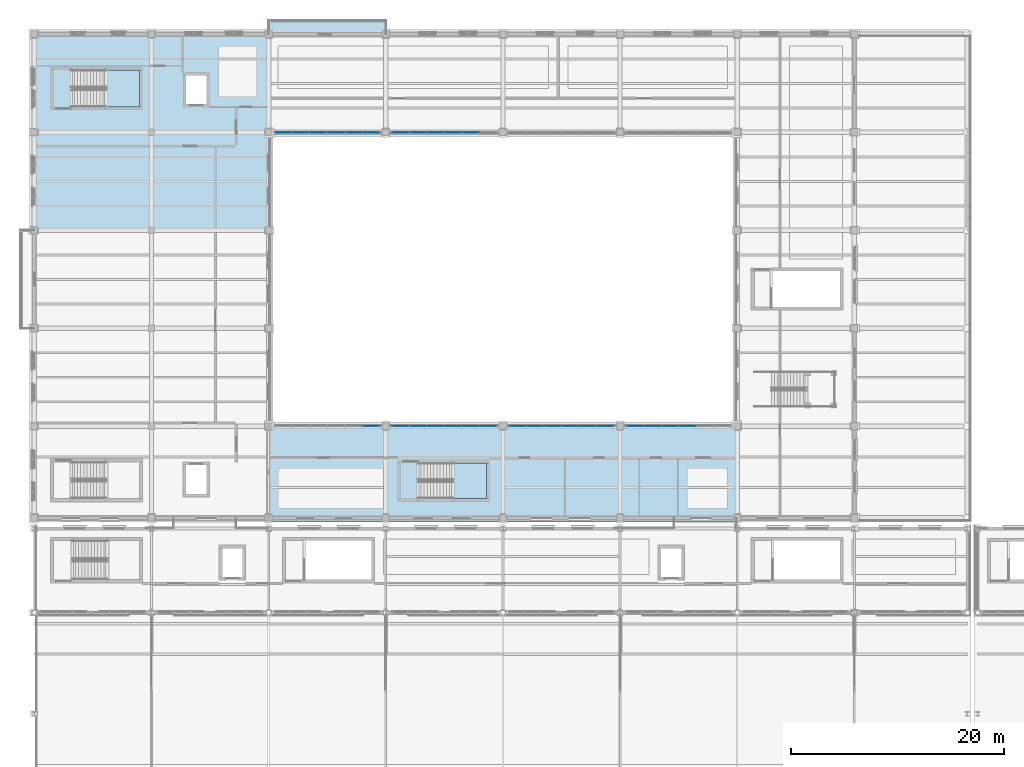
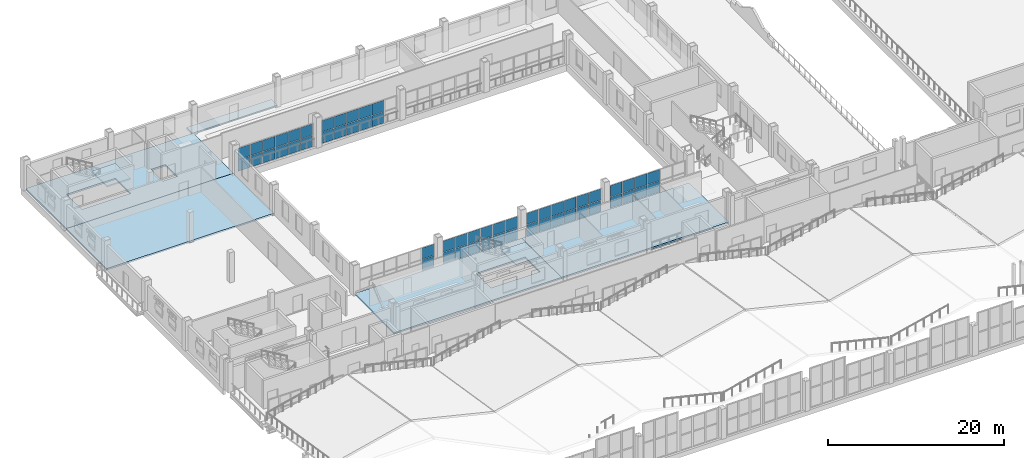
# One storey, part 86 of 120: 56 plates, 7 slabs, 8 elements without a shape of their own.
"""IFC4 building model written with IfcOpenShell, lengths in metres."""

from ifc_helpers import new_model, si_unit, direction, frame, origin, origin_2d, place, context, subcontext, project, spatial, polyline, rectangle, outline, extrude, material, layer, layer_set, type_object, element, aggregate, save


model = new_model("IFC4")

# Units and contexts
model_context = context("Model", 3, precision=1e-05, world=origin(), true_north=direction((0.0, 1.0)))
body_context = subcontext(model_context, "Body", "Model", "MODEL_VIEW")
ifc_project = project(units=[si_unit("LENGTHUNIT", "METRE"), si_unit("AREAUNIT", "SQUARE_METRE"), si_unit("VOLUMEUNIT", "CUBIC_METRE"), si_unit("PLANEANGLEUNIT", "RADIAN"), si_unit("MASSUNIT", "GRAM", prefix="KILO")], contexts=[model_context])

# Site, building, storey
site_placement = place(None, origin())
site = spatial("IfcSite", under=ifc_project, at=site_placement, CompositionType="ELEMENT")
building_placement = place(site_placement, origin())
building = spatial("IfcBuilding", under=site, at=building_placement, Name="Caurita Quay Ferry Terminal", CompositionType="ELEMENT")
storey_placement = place(building_placement, frame((0.0, 0.0, 9.89990234375)))
storey = spatial("IfcBuildingStorey", under=building, at=storey_placement, Name="L02", CompositionType="ELEMENT", Elevation=9.89990234375)

# Curtain wall, plates
ifc_material_1 = material(Name="Laminated solar-control insulated glass", Category="glass")
curtain_wall_type = type_object("IfcCurtainWallType", Name="CW-SYS-24", PredefinedType="NOTDEFINED", material=ifc_material_1)
curtain_wall_1_placement = place(storey_placement, origin())
curtain_wall_1 = element("IfcCurtainWall", 1, at=curtain_wall_1_placement, inside=storey, type_object=curtain_wall_type, Name="L02 Courtyard Cloister Storefront 164", PredefinedType="NOTDEFINED")
ifc_layer_1 = layer(ifc_material_1, 0.02392578125, Name="Laminated low-e hurricane-rated glazing unit 24 mm")
ifc_layer_set_1 = layer_set([ifc_layer_1], Name="Laminated solar-control insulated glass")
plate_type = type_object("IfcPlateType", Name="CW-PNL-24", PredefinedType="CURTAIN_PANEL", material=ifc_layer_set_1)
plate_1_placement = place(storey_placement, frame((31.610107421875, 80.199951171875, 0.05810546875), z_axis=(0.0, 0.0, 1.0), x_axis=(1.0, 0.0, 0.0)))
plate_1 = element("IfcPlate", 2, at=plate_1_placement, type_object=plate_type, Name="CW-CRT-164 Glazing Panel 11", PredefinedType="CURTAIN_PANEL", context=body_context, shape_type="SweptSolid", body=[
    extrude(rectangle(XDim=1.56396484375, YDim=0.02392578125, at=origin_2d()), origin(), (0.0, 0.0, 1.0), 1.56396484375),
])
plate_2_placement = place(storey_placement, frame((31.610107421875, 80.199951171875, 1.67822265625), z_axis=(0.0, 0.0, 1.0), x_axis=(1.0, 0.0, 0.0)))
plate_2 = element("IfcPlate", 3, at=plate_2_placement, type_object=plate_type, Name="CW-CRT-164 Glazing Panel 12", PredefinedType="CURTAIN_PANEL", context=body_context, shape_type="SweptSolid", body=[
    extrude(rectangle(XDim=1.56396484375, YDim=0.02392578125, at=origin_2d()), origin(), (0.0, 0.0, 1.0), 1.56396484375),
])
aggregate(curtain_wall_1, [plate_1, plate_2])

curtain_wall_2_placement = place(storey_placement, origin())
curtain_wall_2 = element("IfcCurtainWall", 4, at=curtain_wall_2_placement, inside=storey, type_object=curtain_wall_type, Name="L02 Courtyard Cloister Storefront 165", PredefinedType="NOTDEFINED")
plate_3_placement = place(storey_placement, frame((34.389892578125, 80.199951171875, 0.05810546875), z_axis=(0.0, 0.0, 1.0), x_axis=(1.0, 0.0, 0.0)))
plate_3 = element("IfcPlate", 5, at=plate_3_placement, type_object=plate_type, Name="CW-CRT-165 Glazing Panel 1", PredefinedType="CURTAIN_PANEL", context=body_context, shape_type="SweptSolid", body=[
    extrude(rectangle(XDim=1.56396484375, YDim=0.02392578125, at=origin_2d()), origin(), (0.0, 0.0, 1.0), 1.56396484375),
])
plate_4_placement = place(storey_placement, frame((34.389892578125, 80.199951171875, 1.67822265625), z_axis=(0.0, 0.0, 1.0), x_axis=(1.0, 0.0, 0.0)))
plate_4 = element("IfcPlate", 6, at=plate_4_placement, type_object=plate_type, Name="CW-CRT-165 Glazing Panel 2", PredefinedType="CURTAIN_PANEL", context=body_context, shape_type="SweptSolid", body=[
    extrude(rectangle(XDim=1.56396484375, YDim=0.02392578125, at=origin_2d()), origin(), (0.0, 0.0, 1.0), 1.56396484375),
])
plate_5_placement = place(storey_placement, frame((36.02490234375, 80.199951171875, 0.05810546875), z_axis=(0.0, 0.0, 1.0), x_axis=(1.0, 0.0, 0.0)))
plate_5 = element("IfcPlate", 7, at=plate_5_placement, type_object=plate_type, Name="CW-CRT-165 Glazing Panel 3", PredefinedType="CURTAIN_PANEL", context=body_context, shape_type="SweptSolid", body=[
    extrude(rectangle(XDim=1.593994140625, YDim=0.02392578125, at=origin_2d()), origin(), (0.0, 0.0, 1.0), 1.56396484375),
])
plate_6_placement = place(storey_placement, frame((36.02490234375, 80.199951171875, 1.67822265625), z_axis=(0.0, 0.0, 1.0), x_axis=(1.0, 0.0, 0.0)))
plate_6 = element("IfcPlate", 8, at=plate_6_placement, type_object=plate_type, Name="CW-CRT-165 Glazing Panel 4", PredefinedType="CURTAIN_PANEL", context=body_context, shape_type="SweptSolid", body=[
    extrude(rectangle(XDim=1.593994140625, YDim=0.02392578125, at=origin_2d()), origin(), (0.0, 0.0, 1.0), 1.56396484375),
])
plate_7_placement = place(storey_placement, frame((37.675048828125, 80.199951171875, 0.05810546875), z_axis=(0.0, 0.0, 1.0), x_axis=(1.0, 0.0, 0.0)))
plate_7 = element("IfcPlate", 9, at=plate_7_placement, type_object=plate_type, Name="CW-CRT-165 Glazing Panel 5", PredefinedType="CURTAIN_PANEL", context=body_context, shape_type="SweptSolid", body=[
    extrude(rectangle(XDim=1.593994140625, YDim=0.02392578125, at=origin_2d()), origin(), (0.0, 0.0, 1.0), 1.56396484375),
])
plate_8_placement = place(storey_placement, frame((37.675048828125, 80.199951171875, 1.67822265625), z_axis=(0.0, 0.0, 1.0), x_axis=(1.0, 0.0, 0.0)))
plate_8 = element("IfcPlate", 10, at=plate_8_placement, type_object=plate_type, Name="CW-CRT-165 Glazing Panel 6", PredefinedType="CURTAIN_PANEL", context=body_context, shape_type="SweptSolid", body=[
    extrude(rectangle(XDim=1.593994140625, YDim=0.02392578125, at=origin_2d()), origin(), (0.0, 0.0, 1.0), 1.56396484375),
])
plate_9_placement = place(storey_placement, frame((39.324951171875, 80.199951171875, 0.05810546875), z_axis=(0.0, 0.0, 1.0), x_axis=(1.0, 0.0, 0.0)))
plate_9 = element("IfcPlate", 11, at=plate_9_placement, type_object=plate_type, Name="CW-CRT-165 Glazing Panel 7", PredefinedType="CURTAIN_PANEL", context=body_context, shape_type="SweptSolid", body=[
    extrude(rectangle(XDim=1.593994140625, YDim=0.02392578125, at=origin_2d()), origin(), (0.0, 0.0, 1.0), 1.56396484375),
])
plate_10_placement = place(storey_placement, frame((39.324951171875, 80.199951171875, 1.67822265625), z_axis=(0.0, 0.0, 1.0), x_axis=(1.0, 0.0, 0.0)))
plate_10 = element("IfcPlate", 12, at=plate_10_placement, type_object=plate_type, Name="CW-CRT-165 Glazing Panel 8", PredefinedType="CURTAIN_PANEL", context=body_context, shape_type="SweptSolid", body=[
    extrude(rectangle(XDim=1.593994140625, YDim=0.02392578125, at=origin_2d()), origin(), (0.0, 0.0, 1.0), 1.56396484375),
])
plate_11_placement = place(storey_placement, frame((40.97509765625, 80.199951171875, 0.05810546875), z_axis=(0.0, 0.0, 1.0), x_axis=(1.0, 0.0, 0.0)))
plate_11 = element("IfcPlate", 13, at=plate_11_placement, type_object=plate_type, Name="CW-CRT-165 Glazing Panel 9", PredefinedType="CURTAIN_PANEL", context=body_context, shape_type="SweptSolid", body=[
    extrude(rectangle(XDim=1.593994140625, YDim=0.02392578125, at=origin_2d()), origin(), (0.0, 0.0, 1.0), 1.56396484375),
])
plate_12_placement = place(storey_placement, frame((40.97509765625, 80.199951171875, 1.67822265625), z_axis=(0.0, 0.0, 1.0), x_axis=(1.0, 0.0, 0.0)))
plate_12 = element("IfcPlate", 14, at=plate_12_placement, type_object=plate_type, Name="CW-CRT-165 Glazing Panel 10", PredefinedType="CURTAIN_PANEL", context=body_context, shape_type="SweptSolid", body=[
    extrude(rectangle(XDim=1.593994140625, YDim=0.02392578125, at=origin_2d()), origin(), (0.0, 0.0, 1.0), 1.56396484375),
])
plate_13_placement = place(storey_placement, frame((42.610107421875, 80.199951171875, 0.05810546875), z_axis=(0.0, 0.0, 1.0), x_axis=(1.0, 0.0, 0.0)))
plate_13 = element("IfcPlate", 15, at=plate_13_placement, type_object=plate_type, Name="CW-CRT-165 Glazing Panel 11", PredefinedType="CURTAIN_PANEL", context=body_context, shape_type="SweptSolid", body=[
    extrude(rectangle(XDim=1.56396484375, YDim=0.02392578125, at=origin_2d()), origin(), (0.0, 0.0, 1.0), 1.56396484375),
])
plate_14_placement = place(storey_placement, frame((42.610107421875, 80.199951171875, 1.67822265625), z_axis=(0.0, 0.0, 1.0), x_axis=(1.0, 0.0, 0.0)))
plate_14 = element("IfcPlate", 16, at=plate_14_placement, type_object=plate_type, Name="CW-CRT-165 Glazing Panel 12", PredefinedType="CURTAIN_PANEL", context=body_context, shape_type="SweptSolid", body=[
    extrude(rectangle(XDim=1.56396484375, YDim=0.02392578125, at=origin_2d()), origin(), (0.0, 0.0, 1.0), 1.56396484375),
])
aggregate(curtain_wall_2, [plate_3, plate_4, plate_5, plate_6, plate_7, plate_8, plate_9, plate_10, plate_11, plate_12, plate_13, plate_14])

curtain_wall_3_placement = place(storey_placement, origin())
curtain_wall_3 = element("IfcCurtainWall", 17, at=curtain_wall_3_placement, inside=storey, type_object=curtain_wall_type, Name="L02 Courtyard Cloister Storefront 166", PredefinedType="NOTDEFINED")
plate_15_placement = place(storey_placement, frame((45.389892578125, 80.199951171875, 0.05810546875), z_axis=(0.0, 0.0, 1.0), x_axis=(1.0, 0.0, 0.0)))
plate_15 = element("IfcPlate", 18, at=plate_15_placement, type_object=plate_type, Name="CW-CRT-166 Glazing Panel 1", PredefinedType="CURTAIN_PANEL", context=body_context, shape_type="SweptSolid", body=[
    extrude(rectangle(XDim=1.56396484375, YDim=0.02392578125, at=origin_2d()), origin(), (0.0, 0.0, 1.0), 1.56396484375),
])
plate_16_placement = place(storey_placement, frame((45.389892578125, 80.199951171875, 1.67822265625), z_axis=(0.0, 0.0, 1.0), x_axis=(1.0, 0.0, 0.0)))
plate_16 = element("IfcPlate", 19, at=plate_16_placement, type_object=plate_type, Name="CW-CRT-166 Glazing Panel 2", PredefinedType="CURTAIN_PANEL", context=body_context, shape_type="SweptSolid", body=[
    extrude(rectangle(XDim=1.56396484375, YDim=0.02392578125, at=origin_2d()), origin(), (0.0, 0.0, 1.0), 1.56396484375),
])
plate_17_placement = place(storey_placement, frame((47.02490234375, 80.199951171875, 0.05810546875), z_axis=(0.0, 0.0, 1.0), x_axis=(1.0, 0.0, 0.0)))
plate_17 = element("IfcPlate", 20, at=plate_17_placement, type_object=plate_type, Name="CW-CRT-166 Glazing Panel 3", PredefinedType="CURTAIN_PANEL", context=body_context, shape_type="SweptSolid", body=[
    extrude(rectangle(XDim=1.593994140625, YDim=0.02392578125, at=origin_2d()), origin(), (0.0, 0.0, 1.0), 1.56396484375),
])
plate_18_placement = place(storey_placement, frame((47.02490234375, 80.199951171875, 1.67822265625), z_axis=(0.0, 0.0, 1.0), x_axis=(1.0, 0.0, 0.0)))
plate_18 = element("IfcPlate", 21, at=plate_18_placement, type_object=plate_type, Name="CW-CRT-166 Glazing Panel 4", PredefinedType="CURTAIN_PANEL", context=body_context, shape_type="SweptSolid", body=[
    extrude(rectangle(XDim=1.593994140625, YDim=0.02392578125, at=origin_2d()), origin(), (0.0, 0.0, 1.0), 1.56396484375),
])
plate_19_placement = place(storey_placement, frame((48.675048828125, 80.199951171875, 0.05810546875), z_axis=(0.0, 0.0, 1.0), x_axis=(1.0, 0.0, 0.0)))
plate_19 = element("IfcPlate", 22, at=plate_19_placement, type_object=plate_type, Name="CW-CRT-166 Glazing Panel 5", PredefinedType="CURTAIN_PANEL", context=body_context, shape_type="SweptSolid", body=[
    extrude(rectangle(XDim=1.593994140625, YDim=0.02392578125, at=origin_2d()), origin(), (0.0, 0.0, 1.0), 1.56396484375),
])
plate_20_placement = place(storey_placement, frame((48.675048828125, 80.199951171875, 1.67822265625), z_axis=(0.0, 0.0, 1.0), x_axis=(1.0, 0.0, 0.0)))
plate_20 = element("IfcPlate", 23, at=plate_20_placement, type_object=plate_type, Name="CW-CRT-166 Glazing Panel 6", PredefinedType="CURTAIN_PANEL", context=body_context, shape_type="SweptSolid", body=[
    extrude(rectangle(XDim=1.593994140625, YDim=0.02392578125, at=origin_2d()), origin(), (0.0, 0.0, 1.0), 1.56396484375),
])
plate_21_placement = place(storey_placement, frame((50.324951171875, 80.199951171875, 0.05810546875), z_axis=(0.0, 0.0, 1.0), x_axis=(1.0, 0.0, 0.0)))
plate_21 = element("IfcPlate", 24, at=plate_21_placement, type_object=plate_type, Name="CW-CRT-166 Glazing Panel 7", PredefinedType="CURTAIN_PANEL", context=body_context, shape_type="SweptSolid", body=[
    extrude(rectangle(XDim=1.593994140625, YDim=0.02392578125, at=origin_2d()), origin(), (0.0, 0.0, 1.0), 1.56396484375),
])
plate_22_placement = place(storey_placement, frame((50.324951171875, 80.199951171875, 1.67822265625), z_axis=(0.0, 0.0, 1.0), x_axis=(1.0, 0.0, 0.0)))
plate_22 = element("IfcPlate", 25, at=plate_22_placement, type_object=plate_type, Name="CW-CRT-166 Glazing Panel 8", PredefinedType="CURTAIN_PANEL", context=body_context, shape_type="SweptSolid", body=[
    extrude(rectangle(XDim=1.593994140625, YDim=0.02392578125, at=origin_2d()), origin(), (0.0, 0.0, 1.0), 1.56396484375),
])
plate_23_placement = place(storey_placement, frame((51.97509765625, 80.199951171875, 0.05810546875), z_axis=(0.0, 0.0, 1.0), x_axis=(1.0, 0.0, 0.0)))
plate_23 = element("IfcPlate", 26, at=plate_23_placement, type_object=plate_type, Name="CW-CRT-166 Glazing Panel 9", PredefinedType="CURTAIN_PANEL", context=body_context, shape_type="SweptSolid", body=[
    extrude(rectangle(XDim=1.593994140625, YDim=0.02392578125, at=origin_2d()), origin(), (0.0, 0.0, 1.0), 1.56396484375),
])
plate_24_placement = place(storey_placement, frame((51.97509765625, 80.199951171875, 1.67822265625), z_axis=(0.0, 0.0, 1.0), x_axis=(1.0, 0.0, 0.0)))
plate_24 = element("IfcPlate", 27, at=plate_24_placement, type_object=plate_type, Name="CW-CRT-166 Glazing Panel 10", PredefinedType="CURTAIN_PANEL", context=body_context, shape_type="SweptSolid", body=[
    extrude(rectangle(XDim=1.593994140625, YDim=0.02392578125, at=origin_2d()), origin(), (0.0, 0.0, 1.0), 1.56396484375),
])
plate_25_placement = place(storey_placement, frame((53.610107421875, 80.199951171875, 0.05810546875), z_axis=(0.0, 0.0, 1.0), x_axis=(1.0, 0.0, 0.0)))
plate_25 = element("IfcPlate", 28, at=plate_25_placement, type_object=plate_type, Name="CW-CRT-166 Glazing Panel 11", PredefinedType="CURTAIN_PANEL", context=body_context, shape_type="SweptSolid", body=[
    extrude(rectangle(XDim=1.56396484375, YDim=0.02392578125, at=origin_2d()), origin(), (0.0, 0.0, 1.0), 1.56396484375),
])
plate_26_placement = place(storey_placement, frame((53.610107421875, 80.199951171875, 1.67822265625), z_axis=(0.0, 0.0, 1.0), x_axis=(1.0, 0.0, 0.0)))
plate_26 = element("IfcPlate", 29, at=plate_26_placement, type_object=plate_type, Name="CW-CRT-166 Glazing Panel 12", PredefinedType="CURTAIN_PANEL", context=body_context, shape_type="SweptSolid", body=[
    extrude(rectangle(XDim=1.56396484375, YDim=0.02392578125, at=origin_2d()), origin(), (0.0, 0.0, 1.0), 1.56396484375),
])
aggregate(curtain_wall_3, [plate_15, plate_16, plate_17, plate_18, plate_19, plate_20, plate_21, plate_22, plate_23, plate_24, plate_25, plate_26])

curtain_wall_4_placement = place(storey_placement, origin())
curtain_wall_4 = element("IfcCurtainWall", 30, at=curtain_wall_4_placement, inside=storey, type_object=curtain_wall_type, Name="L02 Courtyard Cloister Storefront 167", PredefinedType="NOTDEFINED")
plate_27_placement = place(storey_placement, frame((56.389892578125, 80.199951171875, 0.05810546875), z_axis=(0.0, 0.0, 1.0), x_axis=(1.0, 0.0, 0.0)))
plate_27 = element("IfcPlate", 31, at=plate_27_placement, type_object=plate_type, Name="CW-CRT-167 Glazing Panel 1", PredefinedType="CURTAIN_PANEL", context=body_context, shape_type="SweptSolid", body=[
    extrude(rectangle(XDim=1.56396484375, YDim=0.02392578125, at=origin_2d()), origin(), (0.0, 0.0, 1.0), 1.56396484375),
])
plate_28_placement = place(storey_placement, frame((56.389892578125, 80.199951171875, 1.67822265625), z_axis=(0.0, 0.0, 1.0), x_axis=(1.0, 0.0, 0.0)))
plate_28 = element("IfcPlate", 32, at=plate_28_placement, type_object=plate_type, Name="CW-CRT-167 Glazing Panel 2", PredefinedType="CURTAIN_PANEL", context=body_context, shape_type="SweptSolid", body=[
    extrude(rectangle(XDim=1.56396484375, YDim=0.02392578125, at=origin_2d()), origin(), (0.0, 0.0, 1.0), 1.56396484375),
])
plate_29_placement = place(storey_placement, frame((58.02490234375, 80.199951171875, 0.05810546875), z_axis=(0.0, 0.0, 1.0), x_axis=(1.0, 0.0, 0.0)))
plate_29 = element("IfcPlate", 33, at=plate_29_placement, type_object=plate_type, Name="CW-CRT-167 Glazing Panel 3", PredefinedType="CURTAIN_PANEL", context=body_context, shape_type="SweptSolid", body=[
    extrude(rectangle(XDim=1.593994140625, YDim=0.02392578125, at=origin_2d()), origin(), (0.0, 0.0, 1.0), 1.56396484375),
])
plate_30_placement = place(storey_placement, frame((58.02490234375, 80.199951171875, 1.67822265625), z_axis=(0.0, 0.0, 1.0), x_axis=(1.0, 0.0, 0.0)))
plate_30 = element("IfcPlate", 34, at=plate_30_placement, type_object=plate_type, Name="CW-CRT-167 Glazing Panel 4", PredefinedType="CURTAIN_PANEL", context=body_context, shape_type="SweptSolid", body=[
    extrude(rectangle(XDim=1.593994140625, YDim=0.02392578125, at=origin_2d()), origin(), (0.0, 0.0, 1.0), 1.56396484375),
])
plate_31_placement = place(storey_placement, frame((59.675048828125, 80.199951171875, 0.05810546875), z_axis=(0.0, 0.0, 1.0), x_axis=(1.0, 0.0, 0.0)))
plate_31 = element("IfcPlate", 35, at=plate_31_placement, type_object=plate_type, Name="CW-CRT-167 Glazing Panel 5", PredefinedType="CURTAIN_PANEL", context=body_context, shape_type="SweptSolid", body=[
    extrude(rectangle(XDim=1.593994140625, YDim=0.02392578125, at=origin_2d()), origin(), (0.0, 0.0, 1.0), 1.56396484375),
])
plate_32_placement = place(storey_placement, frame((59.675048828125, 80.199951171875, 1.67822265625), z_axis=(0.0, 0.0, 1.0), x_axis=(1.0, 0.0, 0.0)))
plate_32 = element("IfcPlate", 36, at=plate_32_placement, type_object=plate_type, Name="CW-CRT-167 Glazing Panel 6", PredefinedType="CURTAIN_PANEL", context=body_context, shape_type="SweptSolid", body=[
    extrude(rectangle(XDim=1.593994140625, YDim=0.02392578125, at=origin_2d()), origin(), (0.0, 0.0, 1.0), 1.56396484375),
])
plate_33_placement = place(storey_placement, frame((61.324951171875, 80.199951171875, 0.05810546875), z_axis=(0.0, 0.0, 1.0), x_axis=(1.0, 0.0, 0.0)))
plate_33 = element("IfcPlate", 37, at=plate_33_placement, type_object=plate_type, Name="CW-CRT-167 Glazing Panel 7", PredefinedType="CURTAIN_PANEL", context=body_context, shape_type="SweptSolid", body=[
    extrude(rectangle(XDim=1.593994140625, YDim=0.02392578125, at=origin_2d()), origin(), (0.0, 0.0, 1.0), 1.56396484375),
])
plate_34_placement = place(storey_placement, frame((61.324951171875, 80.199951171875, 1.67822265625), z_axis=(0.0, 0.0, 1.0), x_axis=(1.0, 0.0, 0.0)))
plate_34 = element("IfcPlate", 38, at=plate_34_placement, type_object=plate_type, Name="CW-CRT-167 Glazing Panel 8", PredefinedType="CURTAIN_PANEL", context=body_context, shape_type="SweptSolid", body=[
    extrude(rectangle(XDim=1.593994140625, YDim=0.02392578125, at=origin_2d()), origin(), (0.0, 0.0, 1.0), 1.56396484375),
])
aggregate(curtain_wall_4, [plate_27, plate_28, plate_29, plate_30, plate_31, plate_32, plate_33, plate_34])

curtain_wall_5_placement = place(storey_placement, origin())
curtain_wall_5 = element("IfcCurtainWall", 39, at=curtain_wall_5_placement, inside=storey, type_object=curtain_wall_type, Name="L02 Courtyard Cloister Storefront 168", PredefinedType="NOTDEFINED")
plate_35_placement = place(storey_placement, frame((23.389892578125, 107.800048828125, 0.05810546875), z_axis=(0.0, 0.0, 1.0), x_axis=(1.0, 0.0, 0.0)))
plate_35 = element("IfcPlate", 40, at=plate_35_placement, type_object=plate_type, Name="CW-CRT-168 Glazing Panel 1", PredefinedType="CURTAIN_PANEL", context=body_context, shape_type="SweptSolid", body=[
    extrude(rectangle(XDim=1.56396484375, YDim=0.02392578125, at=origin_2d()), origin(), (0.0, 0.0, 1.0), 1.56396484375),
])
plate_36_placement = place(storey_placement, frame((23.389892578125, 107.800048828125, 1.67822265625), z_axis=(0.0, 0.0, 1.0), x_axis=(1.0, 0.0, 0.0)))
plate_36 = element("IfcPlate", 41, at=plate_36_placement, type_object=plate_type, Name="CW-CRT-168 Glazing Panel 2", PredefinedType="CURTAIN_PANEL", context=body_context, shape_type="SweptSolid", body=[
    extrude(rectangle(XDim=1.56396484375, YDim=0.02392578125, at=origin_2d()), origin(), (0.0, 0.0, 1.0), 1.56396484375),
])
plate_37_placement = place(storey_placement, frame((25.02490234375, 107.800048828125, 0.05810546875), z_axis=(0.0, 0.0, 1.0), x_axis=(1.0, 0.0, 0.0)))
plate_37 = element("IfcPlate", 42, at=plate_37_placement, type_object=plate_type, Name="CW-CRT-168 Glazing Panel 3", PredefinedType="CURTAIN_PANEL", context=body_context, shape_type="SweptSolid", body=[
    extrude(rectangle(XDim=1.593994140625, YDim=0.02392578125, at=origin_2d()), origin(), (0.0, 0.0, 1.0), 1.56396484375),
])
plate_38_placement = place(storey_placement, frame((25.02490234375, 107.800048828125, 1.67822265625), z_axis=(0.0, 0.0, 1.0), x_axis=(1.0, 0.0, 0.0)))
plate_38 = element("IfcPlate", 43, at=plate_38_placement, type_object=plate_type, Name="CW-CRT-168 Glazing Panel 4", PredefinedType="CURTAIN_PANEL", context=body_context, shape_type="SweptSolid", body=[
    extrude(rectangle(XDim=1.593994140625, YDim=0.02392578125, at=origin_2d()), origin(), (0.0, 0.0, 1.0), 1.56396484375),
])
plate_39_placement = place(storey_placement, frame((26.675048828125, 107.800048828125, 0.05810546875), z_axis=(0.0, 0.0, 1.0), x_axis=(1.0, 0.0, 0.0)))
plate_39 = element("IfcPlate", 44, at=plate_39_placement, type_object=plate_type, Name="CW-CRT-168 Glazing Panel 5", PredefinedType="CURTAIN_PANEL", context=body_context, shape_type="SweptSolid", body=[
    extrude(rectangle(XDim=1.593994140625, YDim=0.02392578125, at=origin_2d()), origin(), (0.0, 0.0, 1.0), 1.56396484375),
])
plate_40_placement = place(storey_placement, frame((26.675048828125, 107.800048828125, 1.67822265625), z_axis=(0.0, 0.0, 1.0), x_axis=(1.0, 0.0, 0.0)))
plate_40 = element("IfcPlate", 45, at=plate_40_placement, type_object=plate_type, Name="CW-CRT-168 Glazing Panel 6", PredefinedType="CURTAIN_PANEL", context=body_context, shape_type="SweptSolid", body=[
    extrude(rectangle(XDim=1.593994140625, YDim=0.02392578125, at=origin_2d()), origin(), (0.0, 0.0, 1.0), 1.56396484375),
])
plate_41_placement = place(storey_placement, frame((28.324951171875, 107.800048828125, 0.05810546875), z_axis=(0.0, 0.0, 1.0), x_axis=(1.0, 0.0, 0.0)))
plate_41 = element("IfcPlate", 46, at=plate_41_placement, type_object=plate_type, Name="CW-CRT-168 Glazing Panel 7", PredefinedType="CURTAIN_PANEL", context=body_context, shape_type="SweptSolid", body=[
    extrude(rectangle(XDim=1.593994140625, YDim=0.02392578125, at=origin_2d()), origin(), (0.0, 0.0, 1.0), 1.56396484375),
])
plate_42_placement = place(storey_placement, frame((28.324951171875, 107.800048828125, 1.67822265625), z_axis=(0.0, 0.0, 1.0), x_axis=(1.0, 0.0, 0.0)))
plate_42 = element("IfcPlate", 47, at=plate_42_placement, type_object=plate_type, Name="CW-CRT-168 Glazing Panel 8", PredefinedType="CURTAIN_PANEL", context=body_context, shape_type="SweptSolid", body=[
    extrude(rectangle(XDim=1.593994140625, YDim=0.02392578125, at=origin_2d()), origin(), (0.0, 0.0, 1.0), 1.56396484375),
])
plate_43_placement = place(storey_placement, frame((29.97509765625, 107.800048828125, 0.05810546875), z_axis=(0.0, 0.0, 1.0), x_axis=(1.0, 0.0, 0.0)))
plate_43 = element("IfcPlate", 48, at=plate_43_placement, type_object=plate_type, Name="CW-CRT-168 Glazing Panel 9", PredefinedType="CURTAIN_PANEL", context=body_context, shape_type="SweptSolid", body=[
    extrude(rectangle(XDim=1.593994140625, YDim=0.02392578125, at=origin_2d()), origin(), (0.0, 0.0, 1.0), 1.56396484375),
])
plate_44_placement = place(storey_placement, frame((29.97509765625, 107.800048828125, 1.67822265625), z_axis=(0.0, 0.0, 1.0), x_axis=(1.0, 0.0, 0.0)))
plate_44 = element("IfcPlate", 49, at=plate_44_placement, type_object=plate_type, Name="CW-CRT-168 Glazing Panel 10", PredefinedType="CURTAIN_PANEL", context=body_context, shape_type="SweptSolid", body=[
    extrude(rectangle(XDim=1.593994140625, YDim=0.02392578125, at=origin_2d()), origin(), (0.0, 0.0, 1.0), 1.56396484375),
])
plate_45_placement = place(storey_placement, frame((31.610107421875, 107.800048828125, 0.05810546875), z_axis=(0.0, 0.0, 1.0), x_axis=(1.0, 0.0, 0.0)))
plate_45 = element("IfcPlate", 50, at=plate_45_placement, type_object=plate_type, Name="CW-CRT-168 Glazing Panel 11", PredefinedType="CURTAIN_PANEL", context=body_context, shape_type="SweptSolid", body=[
    extrude(rectangle(XDim=1.56396484375, YDim=0.02392578125, at=origin_2d()), origin(), (0.0, 0.0, 1.0), 1.56396484375),
])
plate_46_placement = place(storey_placement, frame((31.610107421875, 107.800048828125, 1.67822265625), z_axis=(0.0, 0.0, 1.0), x_axis=(1.0, 0.0, 0.0)))
plate_46 = element("IfcPlate", 51, at=plate_46_placement, type_object=plate_type, Name="CW-CRT-168 Glazing Panel 12", PredefinedType="CURTAIN_PANEL", context=body_context, shape_type="SweptSolid", body=[
    extrude(rectangle(XDim=1.56396484375, YDim=0.02392578125, at=origin_2d()), origin(), (0.0, 0.0, 1.0), 1.56396484375),
])
aggregate(curtain_wall_5, [plate_35, plate_36, plate_37, plate_38, plate_39, plate_40, plate_41, plate_42, plate_43, plate_44, plate_45, plate_46])

curtain_wall_6_placement = place(storey_placement, origin())
curtain_wall_6 = element("IfcCurtainWall", 52, at=curtain_wall_6_placement, inside=storey, type_object=curtain_wall_type, Name="L02 Courtyard Cloister Storefront 169", PredefinedType="NOTDEFINED")
plate_47_placement = place(storey_placement, frame((34.389892578125, 107.800048828125, 0.05810546875), z_axis=(0.0, 0.0, 1.0), x_axis=(1.0, 0.0, 0.0)))
plate_47 = element("IfcPlate", 53, at=plate_47_placement, type_object=plate_type, Name="CW-CRT-169 Glazing Panel 1", PredefinedType="CURTAIN_PANEL", context=body_context, shape_type="SweptSolid", body=[
    extrude(rectangle(XDim=1.56396484375, YDim=0.02392578125, at=origin_2d()), origin(), (0.0, 0.0, 1.0), 1.56396484375),
])
plate_48_placement = place(storey_placement, frame((34.389892578125, 107.800048828125, 1.67822265625), z_axis=(0.0, 0.0, 1.0), x_axis=(1.0, 0.0, 0.0)))
plate_48 = element("IfcPlate", 54, at=plate_48_placement, type_object=plate_type, Name="CW-CRT-169 Glazing Panel 2", PredefinedType="CURTAIN_PANEL", context=body_context, shape_type="SweptSolid", body=[
    extrude(rectangle(XDim=1.56396484375, YDim=0.02392578125, at=origin_2d()), origin(), (0.0, 0.0, 1.0), 1.56396484375),
])
plate_49_placement = place(storey_placement, frame((36.02490234375, 107.800048828125, 0.05810546875), z_axis=(0.0, 0.0, 1.0), x_axis=(1.0, 0.0, 0.0)))
plate_49 = element("IfcPlate", 55, at=plate_49_placement, type_object=plate_type, Name="CW-CRT-169 Glazing Panel 3", PredefinedType="CURTAIN_PANEL", context=body_context, shape_type="SweptSolid", body=[
    extrude(rectangle(XDim=1.593994140625, YDim=0.02392578125, at=origin_2d()), origin(), (0.0, 0.0, 1.0), 1.56396484375),
])
plate_50_placement = place(storey_placement, frame((36.02490234375, 107.800048828125, 1.67822265625), z_axis=(0.0, 0.0, 1.0), x_axis=(1.0, 0.0, 0.0)))
plate_50 = element("IfcPlate", 56, at=plate_50_placement, type_object=plate_type, Name="CW-CRT-169 Glazing Panel 4", PredefinedType="CURTAIN_PANEL", context=body_context, shape_type="SweptSolid", body=[
    extrude(rectangle(XDim=1.593994140625, YDim=0.02392578125, at=origin_2d()), origin(), (0.0, 0.0, 1.0), 1.56396484375),
])
plate_51_placement = place(storey_placement, frame((37.675048828125, 107.800048828125, 0.05810546875), z_axis=(0.0, 0.0, 1.0), x_axis=(1.0, 0.0, 0.0)))
plate_51 = element("IfcPlate", 57, at=plate_51_placement, type_object=plate_type, Name="CW-CRT-169 Glazing Panel 5", PredefinedType="CURTAIN_PANEL", context=body_context, shape_type="SweptSolid", body=[
    extrude(rectangle(XDim=1.593994140625, YDim=0.02392578125, at=origin_2d()), origin(), (0.0, 0.0, 1.0), 1.56396484375),
])
plate_52_placement = place(storey_placement, frame((37.675048828125, 107.800048828125, 1.67822265625), z_axis=(0.0, 0.0, 1.0), x_axis=(1.0, 0.0, 0.0)))
plate_52 = element("IfcPlate", 58, at=plate_52_placement, type_object=plate_type, Name="CW-CRT-169 Glazing Panel 6", PredefinedType="CURTAIN_PANEL", context=body_context, shape_type="SweptSolid", body=[
    extrude(rectangle(XDim=1.593994140625, YDim=0.02392578125, at=origin_2d()), origin(), (0.0, 0.0, 1.0), 1.56396484375),
])
plate_53_placement = place(storey_placement, frame((39.324951171875, 107.800048828125, 0.05810546875), z_axis=(0.0, 0.0, 1.0), x_axis=(1.0, 0.0, 0.0)))
plate_53 = element("IfcPlate", 59, at=plate_53_placement, type_object=plate_type, Name="CW-CRT-169 Glazing Panel 7", PredefinedType="CURTAIN_PANEL", context=body_context, shape_type="SweptSolid", body=[
    extrude(rectangle(XDim=1.593994140625, YDim=0.02392578125, at=origin_2d()), origin(), (0.0, 0.0, 1.0), 1.56396484375),
])
plate_54_placement = place(storey_placement, frame((39.324951171875, 107.800048828125, 1.67822265625), z_axis=(0.0, 0.0, 1.0), x_axis=(1.0, 0.0, 0.0)))
plate_54 = element("IfcPlate", 60, at=plate_54_placement, type_object=plate_type, Name="CW-CRT-169 Glazing Panel 8", PredefinedType="CURTAIN_PANEL", context=body_context, shape_type="SweptSolid", body=[
    extrude(rectangle(XDim=1.593994140625, YDim=0.02392578125, at=origin_2d()), origin(), (0.0, 0.0, 1.0), 1.56396484375),
])
plate_55_placement = place(storey_placement, frame((40.97509765625, 107.800048828125, 0.05810546875), z_axis=(0.0, 0.0, 1.0), x_axis=(1.0, 0.0, 0.0)))
plate_55 = element("IfcPlate", 61, at=plate_55_placement, type_object=plate_type, Name="CW-CRT-169 Glazing Panel 9", PredefinedType="CURTAIN_PANEL", context=body_context, shape_type="SweptSolid", body=[
    extrude(rectangle(XDim=1.593994140625, YDim=0.02392578125, at=origin_2d()), origin(), (0.0, 0.0, 1.0), 1.56396484375),
])
plate_56_placement = place(storey_placement, frame((40.97509765625, 107.800048828125, 1.67822265625), z_axis=(0.0, 0.0, 1.0), x_axis=(1.0, 0.0, 0.0)))
plate_56 = element("IfcPlate", 62, at=plate_56_placement, type_object=plate_type, Name="CW-CRT-169 Glazing Panel 10", PredefinedType="CURTAIN_PANEL", context=body_context, shape_type="SweptSolid", body=[
    extrude(rectangle(XDim=1.593994140625, YDim=0.02392578125, at=origin_2d()), origin(), (0.0, 0.0, 1.0), 1.56396484375),
])
aggregate(curtain_wall_6, [plate_47, plate_48, plate_49, plate_50, plate_51, plate_52, plate_53, plate_54, plate_55, plate_56])

# Slabs
ifc_material_2 = material(Name="Reinforced concrete C35/45", Category="concrete")
ifc_layer_2 = layer(ifc_material_2, 0.219970703125, Name="Reinforced concrete floor slab 220 mm")
ifc_layer_set_2 = layer_set([ifc_layer_2], Name="Reinforced concrete C35/45")
slab_type_1 = type_object("IfcSlabType", Name="SLB-BAL-220", PredefinedType="FLOOR", material=ifc_layer_set_2)
slab_1_placement = place(storey_placement, frame((0.0, 0.0, -0.219970703125)))
element("IfcSlab", 63, at=slab_1_placement, inside=storey, type_object=slab_type_1, Name="Customs Administration Rejas Balcony", PredefinedType="FLOOR", context=body_context, shape_type="SweptSolid", body=[
    extrude(outline(polyline([(21.89990234375, 117.0), (33.10009765625, 117.0), (33.10009765625, 118.35009765625), (21.89990234375, 118.35009765625), (21.89990234375, 117.0)])), origin(), (0.0, 0.0, 1.0), 0.219970703125),
])
ifc_layer_3 = layer(ifc_material_2, 0.219970703125, Name="Reinforced concrete floor slab 220 mm")
ifc_layer_set_3 = layer_set([ifc_layer_3], Name="Reinforced concrete C35/45")
slab_type_2 = type_object("IfcSlabType", Name="SLB-FLR-220", PredefinedType="FLOOR", material=ifc_layer_set_3)
slab_2_placement = place(storey_placement, frame((0.0, 0.0, -0.219970703125)))
element("IfcSlab", 64, at=slab_2_placement, inside=storey, type_object=slab_type_2, Name="L02 V5-FLR Slab 03", PredefinedType="FLOOR", context=body_context, shape_type="SweptSolid", body=[
    extrude(outline(polyline([(0.0, 98.60009765625), (22.0, 98.60009765625), (22.0, 107.800048828125), (0.0, 107.800048828125), (0.0, 98.60009765625)])), origin(), (0.0, 0.0, 1.0), 0.219970703125),
])
slab_3_placement = place(storey_placement, frame((0.0, 0.0, -0.219970703125)))
element("IfcSlab", 65, at=slab_3_placement, inside=storey, type_object=slab_type_2, Name="L02 V5-FLR Slab 04", PredefinedType="FLOOR", context=body_context, shape_type="SweptSolid", body=[
    extrude(outline(polyline([(0.0, 107.800048828125), (22.0, 107.800048828125), (22.0, 117.0), (0.0, 117.0), (0.0, 107.800048828125)]), holes=[polyline([(3.449951171875, 110.199951171875), (9.85009765625, 110.199951171875), (9.85009765625, 113.659912109375), (3.449951171875, 113.659912109375), (3.449951171875, 110.199951171875)]), polyline([(14.2548828125, 110.455078125), (16.14501953125, 110.455078125), (16.14501953125, 113.14501953125), (14.2548828125, 113.14501953125), (14.2548828125, 110.455078125)])]), origin(), (0.0, 0.0, 1.0), 0.219970703125),
])
slab_4_placement = place(storey_placement, frame((0.0, 0.0, -0.219970703125)))
element("IfcSlab", 66, at=slab_4_placement, inside=storey, type_object=slab_type_2, Name="L02 V5-FLR Slab 05", PredefinedType="FLOOR", context=body_context, shape_type="SweptSolid", body=[
    extrude(outline(polyline([(22.0, 71.199951171875), (44.0, 71.199951171875), (44.0, 80.199951171875), (22.0, 80.199951171875), (22.0, 71.199951171875)]), holes=[polyline([(36.0, 73.39990234375), (42.449951171875, 73.39990234375), (42.449951171875, 76.760009765625), (36.0, 76.760009765625), (36.0, 73.39990234375)])]), origin(), (0.0, 0.0, 1.0), 0.219970703125),
])
slab_5_placement = place(storey_placement, frame((0.0, 0.0, -0.219970703125)))
element("IfcSlab", 67, at=slab_5_placement, inside=storey, type_object=slab_type_2, Name="L02 V5-FLR Slab 07", PredefinedType="FLOOR", context=body_context, shape_type="SweptSolid", body=[
    extrude(outline(polyline([(44.0, 71.199951171875), (66.0, 71.199951171875), (66.0, 80.199951171875), (44.0, 80.199951171875), (44.0, 71.199951171875)])), origin(), (0.0, 0.0, 1.0), 0.219970703125),
])

# Stair, slab
stair_type_1 = type_object("IfcStairType", Name="STR-DL-03", PredefinedType="HALF_TURN_STAIR", material=ifc_material_2)
stair_1_placement = place(storey_placement, origin())
stair_1 = element("IfcStair", 68, at=stair_1_placement, inside=storey, type_object=stair_type_1, Name="L02 Protected Exit Stair ST-01", PredefinedType="HALF_TURN_STAIR")
ifc_layer_4 = layer(ifc_material_2, 0.199951171875, Name="Reinforced concrete landing slab 200 mm")
ifc_layer_set_4 = layer_set([ifc_layer_4], Name="Reinforced concrete C35/45")
slab_type_3 = type_object("IfcSlabType", Name="SLB-LND-200", PredefinedType="LANDING", material=ifc_layer_set_4)
slab_6_placement = place(storey_placement, frame((0.0, 0.0, 1.900146484375)))
slab_6 = element("IfcSlab", 69, at=slab_6_placement, type_object=slab_type_3, Name="ST-01 landing 1", PredefinedType="LANDING", context=body_context, shape_type="SweptSolid", body=[
    extrude(outline(polyline([(6.75, 110.199951171875), (9.85009765625, 110.199951171875), (9.85009765625, 113.659912109375), (6.75, 113.659912109375), (6.75, 110.199951171875)])), origin(), (0.0, 0.0, 1.0), 0.199951171875),
])
aggregate(stair_1, [slab_6])

stair_type_2 = type_object("IfcStairType", Name="STR-DL-06", PredefinedType="HALF_TURN_STAIR", material=ifc_material_2)
stair_2_placement = place(storey_placement, origin())
stair_2 = element("IfcStair", 70, at=stair_2_placement, inside=storey, type_object=stair_type_2, Name="L02 Protected Exit Stair ST-03", PredefinedType="HALF_TURN_STAIR")
slab_7_placement = place(storey_placement, frame((0.0, 0.0, 1.900146484375)))
slab_7 = element("IfcSlab", 71, at=slab_7_placement, type_object=slab_type_3, Name="ST-03 landing 1", PredefinedType="LANDING", context=body_context, shape_type="SweptSolid", body=[
    extrude(outline(polyline([(39.300048828125, 73.39990234375), (42.449951171875, 73.39990234375), (42.449951171875, 76.760009765625), (39.300048828125, 76.760009765625), (39.300048828125, 73.39990234375)])), origin(), (0.0, 0.0, 1.0), 0.199951171875),
])
aggregate(stair_2, [slab_7])

save(model, "model.ifc")
